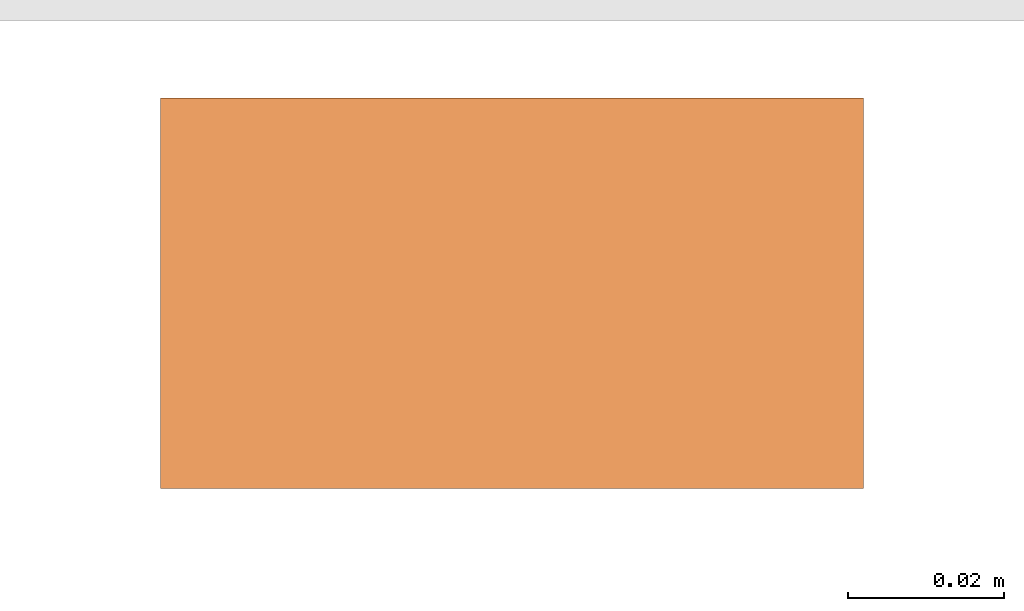
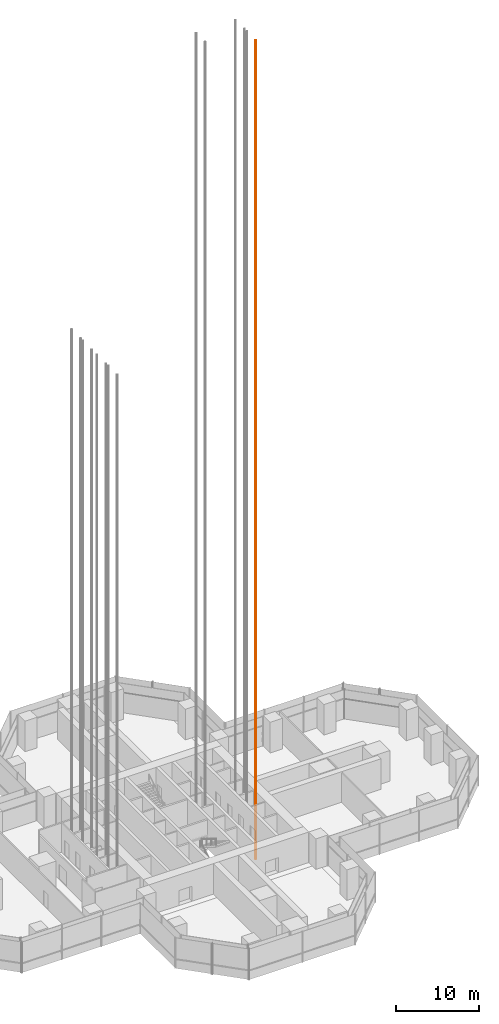
# One storey, part 27 of 34: 1 proxy.
"""IFC4 building model written with IfcOpenShell, lengths in metres."""

from ifc_helpers import new_model, si_unit, direction, frame, origin, origin_2d, place, context, subcontext, project, spatial, rectangle, extrude, material, element, save


model = new_model("IFC4")

# Units and contexts
model_context = context("Model", 3, precision=1e-05, world=origin(), true_north=direction((0.0, 1.0)))
body_context = subcontext(model_context, "Body", "Model", "MODEL_VIEW")
ifc_project = project(units=[si_unit("LENGTHUNIT", "METRE"), si_unit("AREAUNIT", "SQUARE_METRE"), si_unit("VOLUMEUNIT", "CUBIC_METRE"), si_unit("PLANEANGLEUNIT", "RADIAN"), si_unit("MASSUNIT", "GRAM", prefix="KILO")], contexts=[model_context])

# Site, building, storey
site_placement = place(None, origin())
site = spatial("IfcSite", under=ifc_project, at=site_placement, CompositionType="ELEMENT")
building_placement = place(site_placement, origin())
building = spatial("IfcBuilding", under=site, at=building_placement, Name="Mizan Broadcast Tower", CompositionType="ELEMENT")
storey_placement = place(building_placement, frame((0.0, 0.0, 194.39990234375)))
storey = spatial("IfcBuildingStorey", under=building, at=storey_placement, Name="L45", CompositionType="ELEMENT", Elevation=194.39990234375)

# Proxy
ifc_material = material(Name="Steel guide rail", Category="steel")
proxy_placement = place(storey_placement, frame((8.800048828125, -2.4599609375, -3.89990234375), z_axis=(0.0, 0.0, 1.0), x_axis=(1.0, 0.0, 0.0)))
element("IfcBuildingElementProxy", 1, at=proxy_placement, inside=storey, material=ifc_material, Name="Guide rail LD2-1", PredefinedType="NOTDEFINED", context=body_context, shape_type="SweptSolid", body=[
    extrude(rectangle(XDim=0.090087890625, YDim=0.050048828125, at=origin_2d()), origin(), (0.0, 0.0, 1.0), 120.570068359375),
])

save(model, "model.ifc")
